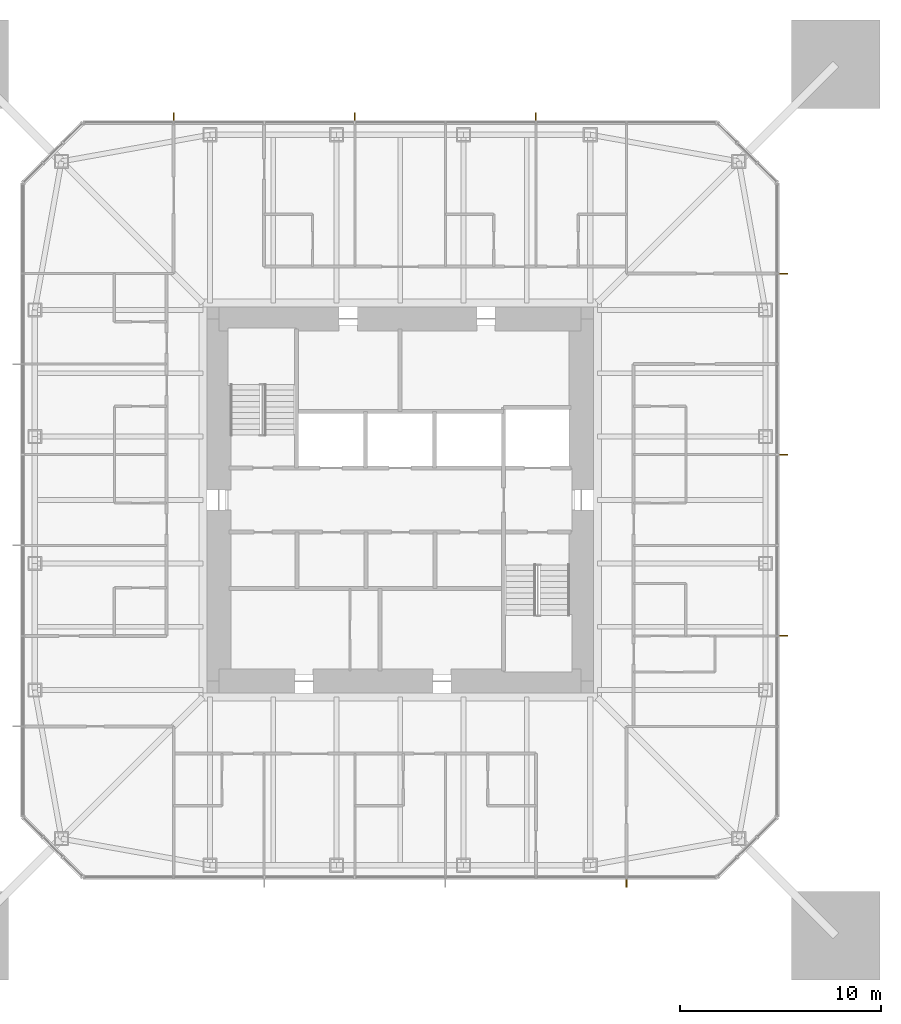
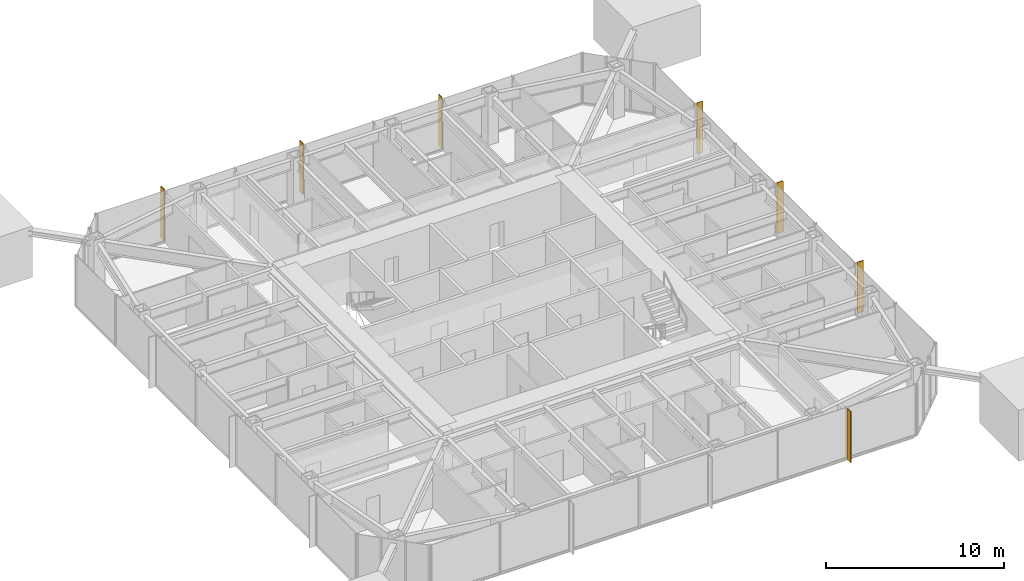
# One storey, part 11 of 11: 7 shading devices.
"""IFC4 building model written with IfcOpenShell, lengths in metres."""

from ifc_helpers import new_model, si_unit, direction, frame, origin, origin_2d, place, context, subcontext, project, spatial, rectangle, extrude, material, layer, layer_set, type_object, element, save


model = new_model("IFC4")

# Units and contexts
model_context = context("Model", 3, precision=1e-05, world=origin(), true_north=direction((0.0, 1.0)))
body_context = subcontext(model_context, "Body", "Model", "MODEL_VIEW")
ifc_project = project(units=[si_unit("LENGTHUNIT", "METRE"), si_unit("AREAUNIT", "SQUARE_METRE"), si_unit("VOLUMEUNIT", "CUBIC_METRE"), si_unit("PLANEANGLEUNIT", "RADIAN"), si_unit("MASSUNIT", "GRAM", prefix="KILO")], contexts=[model_context])

# Site, building, storey
site_placement = place(None, origin())
site = spatial("IfcSite", under=ifc_project, at=site_placement, CompositionType="ELEMENT")
building_placement = place(site_placement, origin())
building = spatial("IfcBuilding", under=site, at=building_placement, Name="Iwan Alto Co-Living Towers", CompositionType="ELEMENT")
storey_placement = place(building_placement, frame((0.0, 0.0, 156.5)))
storey = spatial("IfcBuildingStorey", under=building, at=storey_placement, Name="L42", CompositionType="ELEMENT", Elevation=156.5)

# Shading devices
ifc_material = material(Name="Aluminium 6063-T6 bronze anodised", Category="aluminium")
ifc_layer = layer(ifc_material, 0.050048828125)
ifc_layer_set = layer_set([ifc_layer], Name="BRONZE FIN 50X400")
shading_device_type = type_object("IfcShadingDeviceType", Name="BRONZE FIN 50X400", PredefinedType="USERDEFINED", material=ifc_layer_set)
for number, where, z_axis, x_axis, name in (
    (1, (11.25, -19.050048828125, 0.0), (0.0, 0.0, 1.0), (1.0, 0.0, 0.0), "Bronze fin L42"),
    (2, (19.050048828125, -6.75, 0.0), (0.0, 0.0, 1.0), (0.0, 1.0, 0.0), "Bronze fin L42"),
    (3, (19.050048828125, 2.25, 0.0), (0.0, 0.0, 1.0), (0.0, 1.0, 0.0), "Bronze fin L42"),
    (4, (19.050048828125, 11.25, 0.0), (0.0, 0.0, 1.0), (0.0, 1.0, 0.0), "Bronze fin L42"),
    (5, (6.75, 19.050048828125, 0.0), (0.0, 0.0, 1.0), (-1.0, 0.0, 0.0), "Bronze fin L42"),
    (6, (-2.25, 19.050048828125, 0.0), (0.0, 0.0, 1.0), (-1.0, 0.0, 0.0), "Bronze fin L42"),
    (7, (-11.25, 19.050048828125, 0.0), (0.0, 0.0, 1.0), (-1.0, 0.0, 0.0), "Bronze fin L42"),
):
    element("IfcShadingDevice", number, at=place(storey_placement, frame(where, z_axis=z_axis, x_axis=x_axis)), inside=storey, type_object=shading_device_type, Name=name, ObjectType="LOUVER", PredefinedType="USERDEFINED", context=body_context, shape_type="SweptSolid", body=[
        extrude(rectangle(XDim=0.050048828125, YDim=0.39990234375, at=origin_2d()), origin(), (0.0, 0.0, 1.0), 3.5),
    ])

save(model, "model.ifc")
